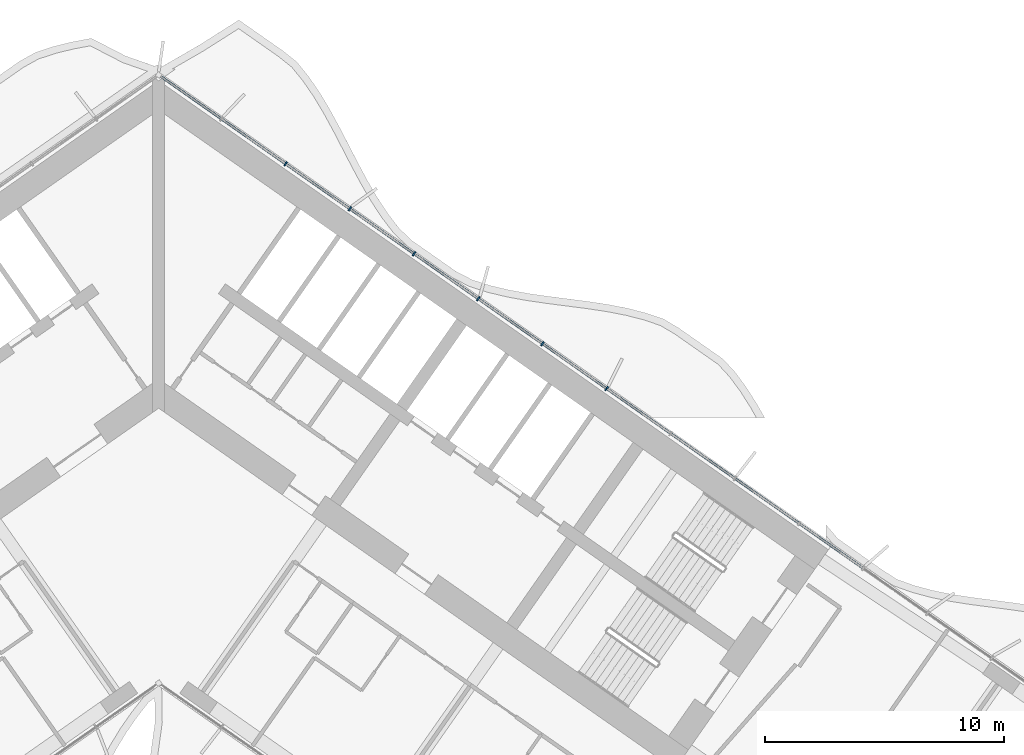
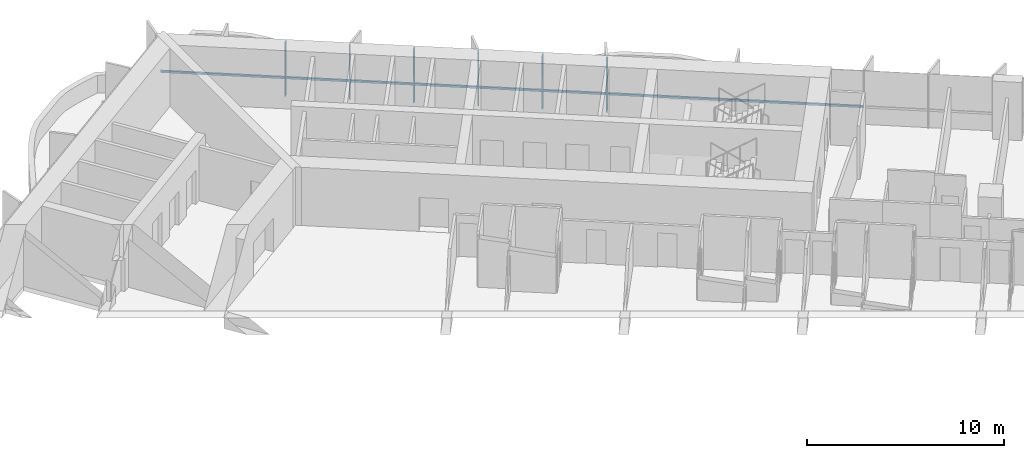
# One storey, part 8 of 25: 7 members, 1 element without a shape of its own.
"""IFC4 building model written with IfcOpenShell, lengths in metres."""

from ifc_helpers import new_model, si_unit, direction, frame, origin, origin_2d, place, context, subcontext, project, spatial, rectangle, extrude, material, material_profile, profile_set, type_object, element, aggregate, save


model = new_model("IFC4")

# Units and contexts
model_context = context("Model", 3, precision=1e-05, world=origin(), true_north=direction((0.0, 1.0)))
body_context = subcontext(model_context, "Body", "Model", "MODEL_VIEW")
ifc_project = project(units=[si_unit("LENGTHUNIT", "METRE"), si_unit("AREAUNIT", "SQUARE_METRE"), si_unit("VOLUMEUNIT", "CUBIC_METRE"), si_unit("PLANEANGLEUNIT", "RADIAN"), si_unit("MASSUNIT", "GRAM", prefix="KILO")], contexts=[model_context])

# Site, building, storey
site_placement = place(None, origin())
site = spatial("IfcSite", under=ifc_project, at=site_placement, CompositionType="ELEMENT")
building_placement = place(site_placement, origin())
building = spatial("IfcBuilding", under=site, at=building_placement, Name="Tel Ilan Convention Tower", CompositionType="ELEMENT")
storey_placement = place(building_placement, frame((0.0, 0.0, 54.5)))
storey = spatial("IfcBuildingStorey", under=building, at=storey_placement, Name="L08", CompositionType="ELEMENT", Elevation=54.5)

# Curtain wall, members
ifc_material_1 = material(Name="Aluminium, bronze anodised", Category="aluminium")
curtain_wall_type = type_object("IfcCurtainWallType", Name="CW2 STICK CURTAIN WALL, SPANDREL PANELS", PredefinedType="NOTDEFINED", material=ifc_material_1)
curtain_wall_placement = place(storey_placement, origin())
curtain_wall = element("IfcCurtainWall", 1, at=curtain_wall_placement, inside=storey, type_object=curtain_wall_type, Name="Curtain wall CW2-11.01", PredefinedType="NOTDEFINED")
ifc_material_2 = material(Name="Aluminium, bronze anodised", Category="aluminium")
ifc_material_profile_1 = material_profile(ifc_material_2, rectangle(XDim=0.06005859375, YDim=0.199951171875, at=origin_2d()), Name="CW MULLION 60x200")
ifc_profile_set_1 = profile_set([ifc_material_profile_1], Name="Aluminium, bronze anodised")
member_type_1 = type_object("IfcMemberType", Name="CW MULLION 60x200", PredefinedType="MULLION", material=ifc_profile_set_1)
member_1_placement = place(storey_placement, frame((18.70458984375, -0.401123046875, 0.0), z_axis=(0.0, 0.0, 1.0), x_axis=(-0.819152044289, 0.573576436351, 0.0)))
member_1 = element("IfcMember", 2, at=member_1_placement, type_object=member_type_1, Name="Mullion", PredefinedType="MULLION", context=body_context, shape_type="SweptSolid", body=[
    extrude(rectangle(XDim=0.06005859375, YDim=0.199951171875, at=origin_2d()), origin(), (0.0, 0.0, 1.0), 3.320068359375),
])
member_2_placement = place(storey_placement, frame((16.024169921875, 1.475830078125, 0.0), z_axis=(0.0, 0.0, 1.0), x_axis=(-0.819152044289, 0.573576436351, 0.0)))
member_2 = element("IfcMember", 3, at=member_2_placement, type_object=member_type_1, Name="Mullion", PredefinedType="MULLION", context=body_context, shape_type="SweptSolid", body=[
    extrude(rectangle(XDim=0.06005859375, YDim=0.199951171875, at=origin_2d()), origin(), (0.0, 0.0, 1.0), 3.320068359375),
])
member_3_placement = place(storey_placement, frame((13.343994140625, 3.3525390625, 0.0), z_axis=(0.0, 0.0, 1.0), x_axis=(-0.819152044289, 0.573576436351, 0.0)))
member_3 = element("IfcMember", 4, at=member_3_placement, type_object=member_type_1, Name="Mullion", PredefinedType="MULLION", context=body_context, shape_type="SweptSolid", body=[
    extrude(rectangle(XDim=0.06005859375, YDim=0.199951171875, at=origin_2d()), origin(), (0.0, 0.0, 1.0), 3.320068359375),
])
member_4_placement = place(storey_placement, frame((10.663818359375, 5.229248046875, 0.0), z_axis=(0.0, 0.0, 1.0), x_axis=(-0.819152044289, 0.573576436351, 0.0)))
member_4 = element("IfcMember", 5, at=member_4_placement, type_object=member_type_1, Name="Mullion", PredefinedType="MULLION", context=body_context, shape_type="SweptSolid", body=[
    extrude(rectangle(XDim=0.06005859375, YDim=0.199951171875, at=origin_2d()), origin(), (0.0, 0.0, 1.0), 3.320068359375),
])
member_5_placement = place(storey_placement, frame((7.9833984375, 7.10595703125, 0.0), z_axis=(0.0, 0.0, 1.0), x_axis=(-0.819152044289, 0.573576436351, 0.0)))
member_5 = element("IfcMember", 6, at=member_5_placement, type_object=member_type_1, Name="Mullion", PredefinedType="MULLION", context=body_context, shape_type="SweptSolid", body=[
    extrude(rectangle(XDim=0.06005859375, YDim=0.199951171875, at=origin_2d()), origin(), (0.0, 0.0, 1.0), 3.320068359375),
])
member_6_placement = place(storey_placement, frame((5.30322265625, 8.982666015625, 0.0), z_axis=(0.0, 0.0, 1.0), x_axis=(-0.819152044289, 0.573576436351, 0.0)))
member_6 = element("IfcMember", 7, at=member_6_placement, type_object=member_type_1, Name="Mullion", PredefinedType="MULLION", context=body_context, shape_type="SweptSolid", body=[
    extrude(rectangle(XDim=0.06005859375, YDim=0.199951171875, at=origin_2d()), origin(), (0.0, 0.0, 1.0), 3.320068359375),
])
ifc_material_3 = material(Name="Aluminium, bronze anodised", Category="aluminium")
ifc_material_profile_2 = material_profile(ifc_material_3, rectangle(XDim=0.10009765625, YDim=0.1201171875, at=origin_2d()), Name="CW TRANSOM 100x120")
ifc_profile_set_2 = profile_set([ifc_material_profile_2], Name="Aluminium, bronze anodised")
member_type_2 = type_object("IfcMemberType", Name="CW TRANSOM 100x120", PredefinedType="USERDEFINED", material=ifc_profile_set_2)
member_7_placement = place(storey_placement, frame((29.401123046875, -7.890869140625, 1.10009765625), z_axis=(-0.81915076999, 0.573578256234, 0.0), x_axis=(-0.573578256234, -0.81915076999, 0.0)))
member_7 = element("IfcMember", 8, at=member_7_placement, type_object=member_type_2, Name="Transom", ObjectType="TRANSOM", PredefinedType="USERDEFINED", context=body_context, shape_type="SweptSolid", body=[
    extrude(rectangle(XDim=0.10009765625, YDim=0.1201171875, at=origin_2d()), origin(), (0.0, 0.0, 1.0), 35.76220703125),
])
aggregate(curtain_wall, [member_1, member_2, member_3, member_4, member_5, member_6, member_7])

save(model, "model.ifc")
